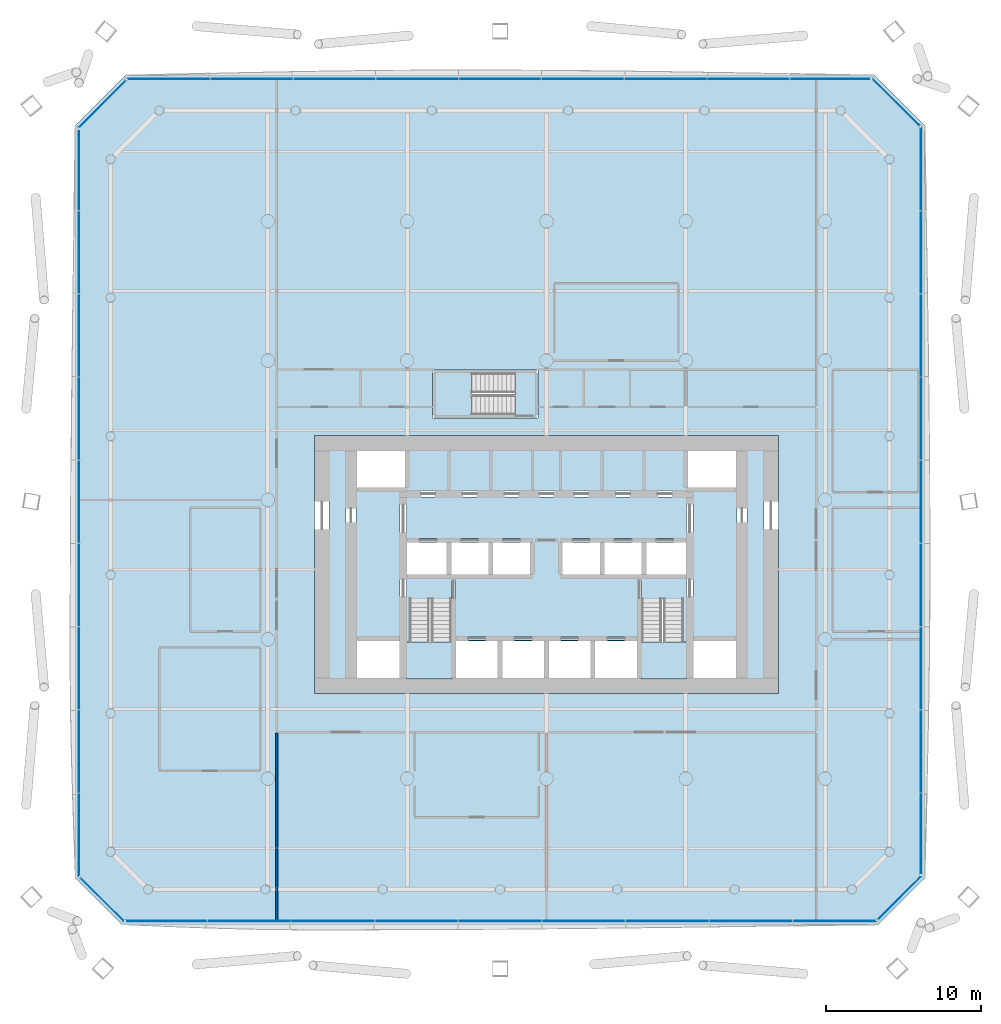
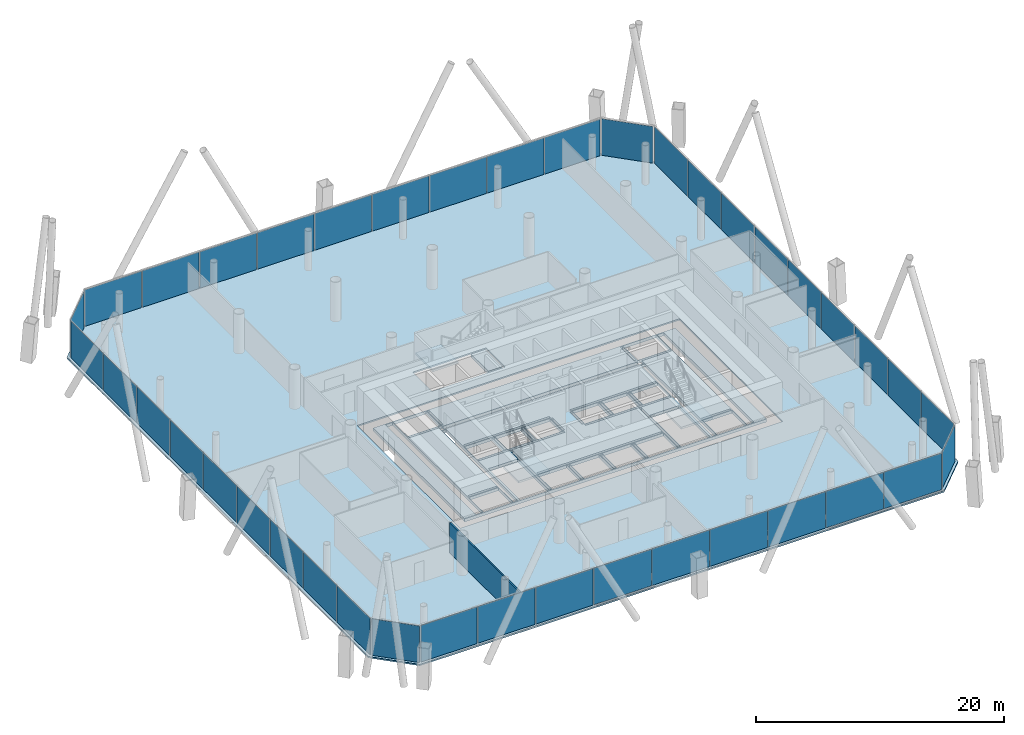
# One storey, part 16 of 25: 40 plates, 6 slabs, 1 wall, 11 elements without a shape of their own.
"""IFC4 building model written with IfcOpenShell, lengths in metres."""

from ifc_helpers import new_model, si_unit, direction, frame, frame_2d, origin, origin_2d, place, context, subcontext, project, spatial, polyline, rectangle, outline, extrude, material, layer, layer_set, type_object, element, aggregate, save


model = new_model("IFC4")

# Units and contexts
model_context = context("Model", 3, precision=1e-05, world=origin(), true_north=direction((0.0, 1.0)))
body_context = subcontext(model_context, "Body", "Model", "MODEL_VIEW")
ifc_project = project(units=[si_unit("LENGTHUNIT", "METRE"), si_unit("AREAUNIT", "SQUARE_METRE"), si_unit("VOLUMEUNIT", "CUBIC_METRE"), si_unit("PLANEANGLEUNIT", "RADIAN"), si_unit("MASSUNIT", "GRAM", prefix="KILO")], contexts=[model_context])

# Site, building, storey
site_placement = place(None, origin())
site = spatial("IfcSite", under=ifc_project, at=site_placement, CompositionType="ELEMENT")
building_placement = place(site_placement, origin())
building = spatial("IfcBuilding", under=site, at=building_placement, Name="Tskaro Facet Tower", CompositionType="ELEMENT")
storey_placement = place(building_placement, frame((0.0, 0.0, 22.5)))
storey = spatial("IfcBuildingStorey", under=building, at=storey_placement, Name="L04", CompositionType="ELEMENT", Elevation=22.5)

# Slab
ifc_material_1 = material(Name="Concrete C30/37", Category="concrete")
ifc_layer_1 = layer(ifc_material_1, 0.139892578125, Name="Concrete C30/37")
ifc_layer_set_1 = layer_set([ifc_layer_1], Name="Concrete C30/37")
slab_type_1 = type_object("IfcSlabType", Name="Composite deck floor slab", PredefinedType="FLOOR", material=ifc_layer_set_1)
slab_1_placement = place(storey_placement, frame((0.0, 0.0, -0.139892578125)))
element("IfcSlab", 1, at=slab_1_placement, inside=storey, type_object=slab_type_1, Name="Floor slab FS3 L04", PredefinedType="FLOOR", context=body_context, shape_type="SweptSolid", body=[
    extrude(outline(polyline([(-27.408935546875, -27.451904296875), (21.408935546875, -27.451904296875), (24.451904296875, -24.408935546875), (24.451904296875, 24.169921875), (21.169921875, 27.451904296875), (-27.169921875, 27.451904296875), (-30.451904296875, 24.169921875), (-30.451904296875, -24.408935546875), (-27.408935546875, -27.451904296875)]), holes=[polyline([(-15.0, -12.5), (15.0, -12.5), (15.0, 4.14990234375), (-15.0, 4.14990234375), (-15.0, -12.5)]), polyline([(-7.35009765625, 5.300048828125), (-0.550048828125, 5.300048828125), (-0.550048828125, 8.39990234375), (-7.35009765625, 8.39990234375), (-7.35009765625, 5.300048828125)])]), origin(), (0.0, 0.0, 1.0), 0.139892578125),
])

# Curtain wall, plates
ifc_material_2 = material(Name="Bronze anodised aluminium 6063-T6", Category="aluminium")
curtain_wall_type = type_object("IfcCurtainWallType", Name="Bronze office curtain wall (FW1)", PredefinedType="NOTDEFINED", material=ifc_material_2)
curtain_wall_1_placement = place(storey_placement, origin())
curtain_wall_1 = element("IfcCurtainWall", 2, at=curtain_wall_1_placement, inside=storey, type_object=curtain_wall_type, Name="FW1 south facet L04", PredefinedType="NOTDEFINED")
ifc_material_3 = material(Name="Bronze tinted glass", Category="glass")
ifc_layer_2 = layer(ifc_material_3, 0.031982421875, Name="Bronze tinted glass")
ifc_layer_set_2 = layer_set([ifc_layer_2], Name="Bronze tinted glass")
plate_type = type_object("IfcPlateType", Name="FW1 bronze-tinted unit glazing 32", PredefinedType="CURTAIN_PANEL", material=ifc_layer_set_2)
plate_1_placement = place(storey_placement, frame((-24.53955078125, -27.201904296875, 0.0), z_axis=(0.0, 0.0, 1.0), x_axis=(1.0, 0.0, 0.0)))
plate_1 = element("IfcPlate", 3, at=plate_1_placement, type_object=plate_type, Name="FW1 south glazing 1.1", PredefinedType="CURTAIN_PANEL", context=body_context, shape_type="SweptSolid", body=[
    extrude(rectangle(XDim=5.211181640625, YDim=0.031982421875, at=origin_2d()), origin(), (0.0, 0.0, 1.0), 3.60009765625),
])
plate_2_placement = place(storey_placement, frame((-19.203369140625, -27.201904296875, 0.0), z_axis=(0.0, 0.0, 1.0), x_axis=(1.0, 0.0, 0.0)))
plate_2 = element("IfcPlate", 4, at=plate_2_placement, type_object=plate_type, Name="FW1 south glazing 2.1", PredefinedType="CURTAIN_PANEL", context=body_context, shape_type="SweptSolid", body=[
    extrude(rectangle(XDim=5.341064453125, YDim=0.031982421875, at=origin_2d()), origin(), (0.0, 0.0, 1.0), 3.60009765625),
])
plate_3_placement = place(storey_placement, frame((-13.80224609375, -27.201904296875, 0.0), z_axis=(0.0, 0.0, 1.0), x_axis=(1.0, 0.0, 0.0)))
plate_3 = element("IfcPlate", 5, at=plate_3_placement, type_object=plate_type, Name="FW1 south glazing 3.1", PredefinedType="CURTAIN_PANEL", context=body_context, shape_type="SweptSolid", body=[
    extrude(rectangle(XDim=5.341064453125, YDim=0.031982421875, at=origin_2d()), origin(), (0.0, 0.0, 1.0), 3.60009765625),
])
plate_4_placement = place(storey_placement, frame((-8.401123046875, -27.201904296875, 0.0), z_axis=(0.0, 0.0, 1.0), x_axis=(1.0, 0.0, 0.0)))
plate_4 = element("IfcPlate", 6, at=plate_4_placement, type_object=plate_type, Name="FW1 south glazing 4.1", PredefinedType="CURTAIN_PANEL", context=body_context, shape_type="SweptSolid", body=[
    extrude(rectangle(XDim=5.341064453125, YDim=0.031982421875, at=origin_2d()), origin(), (0.0, 0.0, 1.0), 3.60009765625),
])
plate_5_placement = place(storey_placement, frame((-3.0, -27.201904296875, 0.0), z_axis=(0.0, 0.0, 1.0), x_axis=(1.0, 0.0, 0.0)))
plate_5 = element("IfcPlate", 7, at=plate_5_placement, type_object=plate_type, Name="FW1 south glazing 5.1", PredefinedType="CURTAIN_PANEL", context=body_context, shape_type="SweptSolid", body=[
    extrude(rectangle(XDim=5.341064453125, YDim=0.031982421875, at=origin_2d()), origin(), (0.0, 0.0, 1.0), 3.60009765625),
])
plate_6_placement = place(storey_placement, frame((2.401123046875, -27.201904296875, 0.0), z_axis=(0.0, 0.0, 1.0), x_axis=(1.0, 0.0, 0.0)))
plate_6 = element("IfcPlate", 8, at=plate_6_placement, type_object=plate_type, Name="FW1 south glazing 6.1", PredefinedType="CURTAIN_PANEL", context=body_context, shape_type="SweptSolid", body=[
    extrude(rectangle(XDim=5.341064453125, YDim=0.031982421875, at=origin_2d()), origin(), (0.0, 0.0, 1.0), 3.60009765625),
])
plate_7_placement = place(storey_placement, frame((7.80224609375, -27.201904296875, 0.0), z_axis=(0.0, 0.0, 1.0), x_axis=(1.0, 0.0, 0.0)))
plate_7 = element("IfcPlate", 9, at=plate_7_placement, type_object=plate_type, Name="FW1 south glazing 7.1", PredefinedType="CURTAIN_PANEL", context=body_context, shape_type="SweptSolid", body=[
    extrude(rectangle(XDim=5.341064453125, YDim=0.031982421875, at=origin_2d()), origin(), (0.0, 0.0, 1.0), 3.60009765625),
])
plate_8_placement = place(storey_placement, frame((13.203369140625, -27.201904296875, 0.0), z_axis=(0.0, 0.0, 1.0), x_axis=(1.0, 0.0, 0.0)))
plate_8 = element("IfcPlate", 10, at=plate_8_placement, type_object=plate_type, Name="FW1 south glazing 8.1", PredefinedType="CURTAIN_PANEL", context=body_context, shape_type="SweptSolid", body=[
    extrude(rectangle(XDim=5.341064453125, YDim=0.031982421875, at=origin_2d()), origin(), (0.0, 0.0, 1.0), 3.60009765625),
])
plate_9_placement = place(storey_placement, frame((18.619384765625, -27.201904296875, 0.0), z_axis=(0.0, 0.0, 1.0), x_axis=(1.0, 0.0, 0.0)))
plate_9 = element("IfcPlate", 11, at=plate_9_placement, type_object=plate_type, Name="FW1 south glazing 9.1", PredefinedType="CURTAIN_PANEL", context=body_context, shape_type="SweptSolid", body=[
    extrude(rectangle(XDim=5.37109375, YDim=0.031982421875, at=origin_2d()), origin(), (0.0, 0.0, 1.0), 3.60009765625),
])
aggregate(curtain_wall_1, [plate_1, plate_2, plate_3, plate_4, plate_5, plate_6, plate_7, plate_8, plate_9])

# Curtain wall, plate
curtain_wall_2_placement = place(storey_placement, origin())
curtain_wall_2 = element("IfcCurtainWall", 12, at=curtain_wall_2_placement, inside=storey, type_object=curtain_wall_type, Name="FW1 south-east facet L04", PredefinedType="NOTDEFINED")
plate_10_placement = place(storey_placement, frame((22.81005859375, -25.697021484375, 0.0), z_axis=(0.0, 0.0, 1.0), x_axis=(0.707106781187, 0.707106781187, 0.0)))
plate_10 = element("IfcPlate", 13, at=plate_10_placement, type_object=plate_type, Name="FW1 south-east glazing 1.1", PredefinedType="CURTAIN_PANEL", context=body_context, shape_type="SweptSolid", body=[
    extrude(rectangle(XDim=3.93701171875, YDim=0.031982421875, at=origin_2d()), origin(), (0.0, 0.0, 1.0), 3.60009765625),
])
aggregate(curtain_wall_2, [plate_10])

# Curtain wall, plates
curtain_wall_3_placement = place(storey_placement, origin())
curtain_wall_3 = element("IfcCurtainWall", 14, at=curtain_wall_3_placement, inside=storey, type_object=curtain_wall_type, Name="FW1 east facet L04", PredefinedType="NOTDEFINED")
plate_11_placement = place(storey_placement, frame((24.201904296875, -21.552734375, 0.0), z_axis=(0.0, 0.0, 1.0), x_axis=(0.0, 1.0, 0.0)))
plate_11 = element("IfcPlate", 15, at=plate_11_placement, type_object=plate_type, Name="FW1 east glazing 1.1", PredefinedType="CURTAIN_PANEL", context=body_context, shape_type="SweptSolid", body=[
    extrude(rectangle(XDim=5.1845703125, YDim=0.031982421875, at=origin_2d()), origin(), (0.0, 0.0, 1.0), 3.60009765625),
])
plate_12_placement = place(storey_placement, frame((24.201904296875, -16.2431640625, 0.0), z_axis=(0.0, 0.0, 1.0), x_axis=(0.0, 1.0, 0.0)))
plate_12 = element("IfcPlate", 16, at=plate_12_placement, type_object=plate_type, Name="FW1 east glazing 2.1", PredefinedType="CURTAIN_PANEL", context=body_context, shape_type="SweptSolid", body=[
    extrude(rectangle(XDim=5.314453125, YDim=0.031982421875, at=origin_2d()), origin(), (0.0, 0.0, 1.0), 3.60009765625),
])
plate_13_placement = place(storey_placement, frame((24.201904296875, -10.86865234375, 0.0), z_axis=(0.0, 0.0, 1.0), x_axis=(0.0, 1.0, 0.0)))
plate_13 = element("IfcPlate", 17, at=plate_13_placement, type_object=plate_type, Name="FW1 east glazing 3.1", PredefinedType="CURTAIN_PANEL", context=body_context, shape_type="SweptSolid", body=[
    extrude(rectangle(XDim=5.314453125, YDim=0.031982421875, at=origin_2d()), origin(), (0.0, 0.0, 1.0), 3.60009765625),
])
plate_14_placement = place(storey_placement, frame((24.201904296875, -5.494140625, 0.0), z_axis=(0.0, 0.0, 1.0), x_axis=(0.0, 1.0, 0.0)))
plate_14 = element("IfcPlate", 18, at=plate_14_placement, type_object=plate_type, Name="FW1 east glazing 4.1", PredefinedType="CURTAIN_PANEL", context=body_context, shape_type="SweptSolid", body=[
    extrude(rectangle(XDim=5.314453125, YDim=0.031982421875, at=origin_2d()), origin(), (0.0, 0.0, 1.0), 3.60009765625),
])
plate_15_placement = place(storey_placement, frame((24.201904296875, -0.119384765625, 0.0), z_axis=(0.0, 0.0, 1.0), x_axis=(0.0, 1.0, 0.0)))
plate_15 = element("IfcPlate", 19, at=plate_15_placement, type_object=plate_type, Name="FW1 east glazing 5.1", PredefinedType="CURTAIN_PANEL", context=body_context, shape_type="SweptSolid", body=[
    extrude(rectangle(XDim=5.314453125, YDim=0.031982421875, at=origin_2d()), origin(), (0.0, 0.0, 1.0), 3.60009765625),
])
plate_16_placement = place(storey_placement, frame((24.201904296875, 5.255126953125, 0.0), z_axis=(0.0, 0.0, 1.0), x_axis=(0.0, 1.0, 0.0)))
plate_16 = element("IfcPlate", 20, at=plate_16_placement, type_object=plate_type, Name="FW1 east glazing 6.1", PredefinedType="CURTAIN_PANEL", context=body_context, shape_type="SweptSolid", body=[
    extrude(rectangle(XDim=5.314453125, YDim=0.031982421875, at=origin_2d()), origin(), (0.0, 0.0, 1.0), 3.60009765625),
])
plate_17_placement = place(storey_placement, frame((24.201904296875, 10.629638671875, 0.0), z_axis=(0.0, 0.0, 1.0), x_axis=(0.0, 1.0, 0.0)))
plate_17 = element("IfcPlate", 21, at=plate_17_placement, type_object=plate_type, Name="FW1 east glazing 7.1", PredefinedType="CURTAIN_PANEL", context=body_context, shape_type="SweptSolid", body=[
    extrude(rectangle(XDim=5.314453125, YDim=0.031982421875, at=origin_2d()), origin(), (0.0, 0.0, 1.0), 3.60009765625),
])
plate_18_placement = place(storey_placement, frame((24.201904296875, 16.004150390625, 0.0), z_axis=(0.0, 0.0, 1.0), x_axis=(0.0, 1.0, 0.0)))
plate_18 = element("IfcPlate", 22, at=plate_18_placement, type_object=plate_type, Name="FW1 east glazing 8.1", PredefinedType="CURTAIN_PANEL", context=body_context, shape_type="SweptSolid", body=[
    extrude(rectangle(XDim=5.314453125, YDim=0.031982421875, at=origin_2d()), origin(), (0.0, 0.0, 1.0), 3.60009765625),
])
plate_19_placement = place(storey_placement, frame((24.201904296875, 21.393798828125, 0.0), z_axis=(0.0, 0.0, 1.0), x_axis=(0.0, 1.0, 0.0)))
plate_19 = element("IfcPlate", 23, at=plate_19_placement, type_object=plate_type, Name="FW1 east glazing 9.1", PredefinedType="CURTAIN_PANEL", context=body_context, shape_type="SweptSolid", body=[
    extrude(rectangle(XDim=5.344482421875, YDim=0.031982421875, at=origin_2d()), origin(), (0.0, 0.0, 1.0), 3.60009765625),
])
aggregate(curtain_wall_3, [plate_11, plate_12, plate_13, plate_14, plate_15, plate_16, plate_17, plate_18, plate_19])

# Curtain wall, plate
curtain_wall_4_placement = place(storey_placement, origin())
curtain_wall_4 = element("IfcCurtainWall", 24, at=curtain_wall_4_placement, inside=storey, type_object=curtain_wall_type, Name="FW1 north-east facet L04", PredefinedType="NOTDEFINED")
plate_20_placement = place(storey_placement, frame((22.577392578125, 25.690673828125, 0.0), z_axis=(0.0, 0.0, 1.0), x_axis=(-0.707106781187, 0.707106781187, 0.0)))
plate_20 = element("IfcPlate", 25, at=plate_20_placement, type_object=plate_type, Name="FW1 north-east glazing 1.1", PredefinedType="CURTAIN_PANEL", context=body_context, shape_type="SweptSolid", body=[
    extrude(rectangle(XDim=4.27490234375, YDim=0.031982421875, at=origin_2d()), origin(), (0.0, 0.0, 1.0), 3.60009765625),
])
aggregate(curtain_wall_4, [plate_20])

# Curtain wall, plates
curtain_wall_5_placement = place(storey_placement, origin())
curtain_wall_5 = element("IfcCurtainWall", 26, at=curtain_wall_5_placement, inside=storey, type_object=curtain_wall_type, Name="FW1 north facet L04", PredefinedType="NOTDEFINED")
plate_21_placement = place(storey_placement, frame((18.326904296875, 27.201904296875, 0.0), z_axis=(0.0, 0.0, 1.0), x_axis=(-1.0, 0.0, 0.0)))
plate_21 = element("IfcPlate", 27, at=plate_21_placement, type_object=plate_type, Name="FW1 north glazing 1.1", PredefinedType="CURTAIN_PANEL", context=body_context, shape_type="SweptSolid", body=[
    extrude(rectangle(XDim=5.157958984375, YDim=0.031982421875, at=origin_2d()), origin(), (0.0, 0.0, 1.0), 3.60009765625),
])
plate_22_placement = place(storey_placement, frame((13.0439453125, 27.201904296875, 0.0), z_axis=(0.0, 0.0, 1.0), x_axis=(-1.0, 0.0, 0.0)))
plate_22 = element("IfcPlate", 28, at=plate_22_placement, type_object=plate_type, Name="FW1 north glazing 2.1", PredefinedType="CURTAIN_PANEL", context=body_context, shape_type="SweptSolid", body=[
    extrude(rectangle(XDim=5.2880859375, YDim=0.031982421875, at=origin_2d()), origin(), (0.0, 0.0, 1.0), 3.60009765625),
])
plate_23_placement = place(storey_placement, frame((7.696044921875, 27.201904296875, 0.0), z_axis=(0.0, 0.0, 1.0), x_axis=(-1.0, 0.0, 0.0)))
plate_23 = element("IfcPlate", 29, at=plate_23_placement, type_object=plate_type, Name="FW1 north glazing 3.1", PredefinedType="CURTAIN_PANEL", context=body_context, shape_type="SweptSolid", body=[
    extrude(rectangle(XDim=5.2880859375, YDim=0.031982421875, at=origin_2d()), origin(), (0.0, 0.0, 1.0), 3.60009765625),
])
plate_24_placement = place(storey_placement, frame((2.347900390625, 27.201904296875, 0.0), z_axis=(0.0, 0.0, 1.0), x_axis=(-1.0, 0.0, 0.0)))
plate_24 = element("IfcPlate", 30, at=plate_24_placement, type_object=plate_type, Name="FW1 north glazing 4.1", PredefinedType="CURTAIN_PANEL", context=body_context, shape_type="SweptSolid", body=[
    extrude(rectangle(XDim=5.2880859375, YDim=0.031982421875, at=origin_2d()), origin(), (0.0, 0.0, 1.0), 3.60009765625),
])
plate_25_placement = place(storey_placement, frame((-3.0, 27.201904296875, 0.0), z_axis=(0.0, 0.0, 1.0), x_axis=(-1.0, 0.0, 0.0)))
plate_25 = element("IfcPlate", 31, at=plate_25_placement, type_object=plate_type, Name="FW1 north glazing 5.1", PredefinedType="CURTAIN_PANEL", context=body_context, shape_type="SweptSolid", body=[
    extrude(rectangle(XDim=5.2880859375, YDim=0.031982421875, at=origin_2d()), origin(), (0.0, 0.0, 1.0), 3.60009765625),
])
plate_26_placement = place(storey_placement, frame((-8.347900390625, 27.201904296875, 0.0), z_axis=(0.0, 0.0, 1.0), x_axis=(-1.0, 0.0, 0.0)))
plate_26 = element("IfcPlate", 32, at=plate_26_placement, type_object=plate_type, Name="FW1 north glazing 6.1", PredefinedType="CURTAIN_PANEL", context=body_context, shape_type="SweptSolid", body=[
    extrude(rectangle(XDim=5.2880859375, YDim=0.031982421875, at=origin_2d()), origin(), (0.0, 0.0, 1.0), 3.60009765625),
])
plate_27_placement = place(storey_placement, frame((-13.696044921875, 27.201904296875, 0.0), z_axis=(0.0, 0.0, 1.0), x_axis=(-1.0, 0.0, 0.0)))
plate_27 = element("IfcPlate", 33, at=plate_27_placement, type_object=plate_type, Name="FW1 north glazing 7.1", PredefinedType="CURTAIN_PANEL", context=body_context, shape_type="SweptSolid", body=[
    extrude(rectangle(XDim=5.2880859375, YDim=0.031982421875, at=origin_2d()), origin(), (0.0, 0.0, 1.0), 3.60009765625),
])
plate_28_placement = place(storey_placement, frame((-19.0439453125, 27.201904296875, 0.0), z_axis=(0.0, 0.0, 1.0), x_axis=(-1.0, 0.0, 0.0)))
plate_28 = element("IfcPlate", 34, at=plate_28_placement, type_object=plate_type, Name="FW1 north glazing 8.1", PredefinedType="CURTAIN_PANEL", context=body_context, shape_type="SweptSolid", body=[
    extrude(rectangle(XDim=5.2880859375, YDim=0.031982421875, at=origin_2d()), origin(), (0.0, 0.0, 1.0), 3.60009765625),
])
plate_29_placement = place(storey_placement, frame((-24.406982421875, 27.201904296875, 0.0), z_axis=(0.0, 0.0, 1.0), x_axis=(-1.0, 0.0, 0.0)))
plate_29 = element("IfcPlate", 35, at=plate_29_placement, type_object=plate_type, Name="FW1 north glazing 9.1", PredefinedType="CURTAIN_PANEL", context=body_context, shape_type="SweptSolid", body=[
    extrude(rectangle(XDim=5.318115234375, YDim=0.031982421875, at=origin_2d()), origin(), (0.0, 0.0, 1.0), 3.60009765625),
])
aggregate(curtain_wall_5, [plate_21, plate_22, plate_23, plate_24, plate_25, plate_26, plate_27, plate_28, plate_29])

# Curtain wall, plate
curtain_wall_6_placement = place(storey_placement, origin())
curtain_wall_6 = element("IfcCurtainWall", 36, at=curtain_wall_6_placement, inside=storey, type_object=curtain_wall_type, Name="FW1 north-west facet L04", PredefinedType="NOTDEFINED")
plate_30_placement = place(storey_placement, frame((-28.690673828125, 25.577392578125, 0.0), z_axis=(0.0, 0.0, 1.0), x_axis=(-0.707106781187, -0.707106781187, 0.0)))
plate_30 = element("IfcPlate", 37, at=plate_30_placement, type_object=plate_type, Name="FW1 north-west glazing 1.1", PredefinedType="CURTAIN_PANEL", context=body_context, shape_type="SweptSolid", body=[
    extrude(rectangle(XDim=4.27490234375, YDim=0.031982421875, at=origin_2d()), origin(), (0.0, 0.0, 1.0), 3.60009765625),
])
aggregate(curtain_wall_6, [plate_30])

# Curtain wall, plates
curtain_wall_7_placement = place(storey_placement, origin())
curtain_wall_7 = element("IfcCurtainWall", 38, at=curtain_wall_7_placement, inside=storey, type_object=curtain_wall_type, Name="FW1 west facet L04", PredefinedType="NOTDEFINED")
plate_31_placement = place(storey_placement, frame((-30.201904296875, 21.313720703125, 0.0), z_axis=(0.0, 0.0, 1.0), x_axis=(0.0, -1.0, 0.0)))
plate_31 = element("IfcPlate", 39, at=plate_31_placement, type_object=plate_type, Name="FW1 west glazing 1.1", PredefinedType="CURTAIN_PANEL", context=body_context, shape_type="SweptSolid", body=[
    extrude(rectangle(XDim=5.1845703125, YDim=0.031982421875, at=origin_2d()), origin(), (0.0, 0.0, 1.0), 3.60009765625),
])
plate_32_placement = place(storey_placement, frame((-30.201904296875, 16.004150390625, 0.0), z_axis=(0.0, 0.0, 1.0), x_axis=(0.0, -1.0, 0.0)))
plate_32 = element("IfcPlate", 40, at=plate_32_placement, type_object=plate_type, Name="FW1 west glazing 2.1", PredefinedType="CURTAIN_PANEL", context=body_context, shape_type="SweptSolid", body=[
    extrude(rectangle(XDim=5.314453125, YDim=0.031982421875, at=origin_2d()), origin(), (0.0, 0.0, 1.0), 3.60009765625),
])
plate_33_placement = place(storey_placement, frame((-30.201904296875, 10.629638671875, 0.0), z_axis=(0.0, 0.0, 1.0), x_axis=(0.0, -1.0, 0.0)))
plate_33 = element("IfcPlate", 41, at=plate_33_placement, type_object=plate_type, Name="FW1 west glazing 3.1", PredefinedType="CURTAIN_PANEL", context=body_context, shape_type="SweptSolid", body=[
    extrude(rectangle(XDim=5.314453125, YDim=0.031982421875, at=origin_2d()), origin(), (0.0, 0.0, 1.0), 3.60009765625),
])
plate_34_placement = place(storey_placement, frame((-30.201904296875, 5.255126953125, 0.0), z_axis=(0.0, 0.0, 1.0), x_axis=(0.0, -1.0, 0.0)))
plate_34 = element("IfcPlate", 42, at=plate_34_placement, type_object=plate_type, Name="FW1 west glazing 4.1", PredefinedType="CURTAIN_PANEL", context=body_context, shape_type="SweptSolid", body=[
    extrude(rectangle(XDim=5.314453125, YDim=0.031982421875, at=origin_2d()), origin(), (0.0, 0.0, 1.0), 3.60009765625),
])
plate_35_placement = place(storey_placement, frame((-30.201904296875, -0.119384765625, 0.0), z_axis=(0.0, 0.0, 1.0), x_axis=(0.0, -1.0, 0.0)))
plate_35 = element("IfcPlate", 43, at=plate_35_placement, type_object=plate_type, Name="FW1 west glazing 5.1", PredefinedType="CURTAIN_PANEL", context=body_context, shape_type="SweptSolid", body=[
    extrude(rectangle(XDim=5.314453125, YDim=0.031982421875, at=origin_2d()), origin(), (0.0, 0.0, 1.0), 3.60009765625),
])
plate_36_placement = place(storey_placement, frame((-30.201904296875, -5.494140625, 0.0), z_axis=(0.0, 0.0, 1.0), x_axis=(0.0, -1.0, 0.0)))
plate_36 = element("IfcPlate", 44, at=plate_36_placement, type_object=plate_type, Name="FW1 west glazing 6.1", PredefinedType="CURTAIN_PANEL", context=body_context, shape_type="SweptSolid", body=[
    extrude(rectangle(XDim=5.314453125, YDim=0.031982421875, at=origin_2d()), origin(), (0.0, 0.0, 1.0), 3.60009765625),
])
plate_37_placement = place(storey_placement, frame((-30.201904296875, -10.86865234375, 0.0), z_axis=(0.0, 0.0, 1.0), x_axis=(0.0, -1.0, 0.0)))
plate_37 = element("IfcPlate", 45, at=plate_37_placement, type_object=plate_type, Name="FW1 west glazing 7.1", PredefinedType="CURTAIN_PANEL", context=body_context, shape_type="SweptSolid", body=[
    extrude(rectangle(XDim=5.314453125, YDim=0.031982421875, at=origin_2d()), origin(), (0.0, 0.0, 1.0), 3.60009765625),
])
plate_38_placement = place(storey_placement, frame((-30.201904296875, -16.2431640625, 0.0), z_axis=(0.0, 0.0, 1.0), x_axis=(0.0, -1.0, 0.0)))
plate_38 = element("IfcPlate", 46, at=plate_38_placement, type_object=plate_type, Name="FW1 west glazing 8.1", PredefinedType="CURTAIN_PANEL", context=body_context, shape_type="SweptSolid", body=[
    extrude(rectangle(XDim=5.314453125, YDim=0.031982421875, at=origin_2d()), origin(), (0.0, 0.0, 1.0), 3.60009765625),
])
plate_39_placement = place(storey_placement, frame((-30.201904296875, -21.6328125, 0.0), z_axis=(0.0, 0.0, 1.0), x_axis=(0.0, -1.0, 0.0)))
plate_39 = element("IfcPlate", 47, at=plate_39_placement, type_object=plate_type, Name="FW1 west glazing 9.1", PredefinedType="CURTAIN_PANEL", context=body_context, shape_type="SweptSolid", body=[
    extrude(rectangle(XDim=5.344482421875, YDim=0.031982421875, at=origin_2d()), origin(), (0.0, 0.0, 1.0), 3.60009765625),
])
aggregate(curtain_wall_7, [plate_31, plate_32, plate_33, plate_34, plate_35, plate_36, plate_37, plate_38, plate_39])

# Curtain wall, plate
curtain_wall_8_placement = place(storey_placement, origin())
curtain_wall_8 = element("IfcCurtainWall", 48, at=curtain_wall_8_placement, inside=storey, type_object=curtain_wall_type, Name="FW1 south-west facet L04", PredefinedType="NOTDEFINED")
plate_40_placement = place(storey_placement, frame((-28.697021484375, -25.81005859375, 0.0), z_axis=(0.0, 0.0, 1.0), x_axis=(0.707106781187, -0.707106781187, 0.0)))
plate_40 = element("IfcPlate", 49, at=plate_40_placement, type_object=plate_type, Name="FW1 south-west glazing 1.1", PredefinedType="CURTAIN_PANEL", context=body_context, shape_type="SweptSolid", body=[
    extrude(rectangle(XDim=3.93701171875, YDim=0.031982421875, at=origin_2d()), origin(), (0.0, 0.0, 1.0), 3.60009765625),
])
aggregate(curtain_wall_8, [plate_40])

# Stair, slab
ifc_material_4 = material(Name="Concrete C40/50", Category="concrete")
stair_type = type_object("IfcStairType", Name="ST-TWR", PredefinedType="HALF_TURN_STAIR", material=ifc_material_4)
stair_1_placement = place(storey_placement, origin())
stair_1 = element("IfcStair", 50, at=stair_1_placement, inside=storey, type_object=stair_type, Name="L04 Exit stair 1", PredefinedType="HALF_TURN_STAIR")
ifc_layer_3 = layer(ifc_material_4, 0.199951171875, Name="Concrete C40/50")
ifc_layer_set_3 = layer_set([ifc_layer_3], Name="Concrete C40/50")
slab_type_2 = type_object("IfcSlabType", Name="SL-LANDING", PredefinedType="LANDING", material=ifc_layer_set_3)
slab_2_placement = place(storey_placement, frame((0.0, 0.0, 1.75)))
slab_2 = element("IfcSlab", 51, at=slab_2_placement, type_object=slab_type_2, Name="ST-1 landing 1", PredefinedType="LANDING", context=body_context, shape_type="SweptSolid", body=[
    extrude(outline(polyline([(-9.050048828125, -11.550048828125), (-6.10009765625, -11.550048828125), (-6.10009765625, -9.175048828125), (-9.050048828125, -9.175048828125), (-9.050048828125, -11.550048828125)])), origin(), (0.0, 0.0, 1.0), 0.199951171875),
])
aggregate(stair_1, [slab_2])

stair_2_placement = place(storey_placement, origin())
stair_2 = element("IfcStair", 52, at=stair_2_placement, inside=storey, type_object=stair_type, Name="L04 Exit stair 2", PredefinedType="HALF_TURN_STAIR")
slab_3_placement = place(storey_placement, frame((0.0, 0.0, 1.75)))
slab_3 = element("IfcSlab", 53, at=slab_3_placement, type_object=slab_type_2, Name="ST-2 landing 1", PredefinedType="LANDING", context=body_context, shape_type="SweptSolid", body=[
    extrude(outline(polyline([(6.10009765625, -11.550048828125), (9.050048828125, -11.550048828125), (9.050048828125, -9.175048828125), (6.10009765625, -9.175048828125), (6.10009765625, -11.550048828125)])), origin(), (0.0, 0.0, 1.0), 0.199951171875),
])
aggregate(stair_2, [slab_3])

stair_3_placement = place(storey_placement, origin())
stair_3 = element("IfcStair", 54, at=stair_3_placement, inside=storey, type_object=stair_type, Name="L04 Exit stair 3", PredefinedType="HALF_TURN_STAIR")
slab_4_placement = place(storey_placement, frame((0.0, 0.0, 1.75)))
slab_4 = element("IfcSlab", 55, at=slab_4_placement, type_object=slab_type_2, Name="ST-3 landing 1", PredefinedType="LANDING", context=body_context, shape_type="SweptSolid", body=[
    extrude(outline(polyline([(-7.199951171875, 5.449951171875), (-4.824951171875, 5.449951171875), (-4.824951171875, 8.25), (-7.199951171875, 8.25), (-7.199951171875, 5.449951171875)])), origin(), (0.0, 0.0, 1.0), 0.199951171875),
])
aggregate(stair_3, [slab_4])

# Slabs
ifc_material_5 = material(Name="Concrete C60/75", Category="concrete")
ifc_layer_4 = layer(ifc_material_5, 0.300048828125, Name="Concrete C60/75")
ifc_layer_set_4 = layer_set([ifc_layer_4], Name="Concrete C60/75")
slab_type_3 = type_object("IfcSlabType", Name="SLAB-CORE", PredefinedType="FLOOR", material=ifc_layer_set_4)
slab_5_placement = place(storey_placement, frame((0.0, 0.0, -0.300048828125)))
element("IfcSlab", 56, at=slab_5_placement, inside=storey, type_object=slab_type_3, Name="Core floor slab 1", PredefinedType="FLOOR", context=body_context, shape_type="SweptSolid", body=[
    extrude(outline(polyline([(-14.050048828125, 3.199951171875), (14.050048828125, 3.199951171875), (14.050048828125, 3.10009765625), (14.050048828125, -11.449951171875), (14.050048828125, -11.550048828125), (-14.050048828125, -11.550048828125), (-14.050048828125, -11.449951171875), (-14.050048828125, 3.10009765625), (-14.050048828125, 3.199951171875)]), holes=[polyline([(-9.5, -9.10009765625), (-12.25, -9.10009765625), (-12.25, -11.5), (-9.5, -11.5), (-9.5, -9.10009765625)]), polyline([(-3.14990234375, -9.10009765625), (-5.85009765625, -9.10009765625), (-5.85009765625, -11.5), (-3.14990234375, -11.5), (-3.14990234375, -9.10009765625)]), polyline([(-12.199951171875, -8.85009765625), (-12.199951171875, -9.050048828125), (-9.550048828125, -9.050048828125), (-9.550048828125, -8.85009765625), (-12.199951171875, -8.85009765625)]), polyline([(-6.10009765625, -11.449951171875), (-5.89990234375, -11.449951171875), (-5.89990234375, -5.14990234375), (-6.10009765625, -5.14990234375), (-6.10009765625, -11.449951171875)]), polyline([(-9.449951171875, 0.10009765625), (-9.449951171875, -11.449951171875), (-9.050048828125, -11.449951171875), (-9.050048828125, 0.10009765625), (-9.449951171875, 0.10009765625)]), polyline([(-8.949951171875, -4.85009765625), (-8.949951171875, -5.050048828125), (-0.949951171875, -5.050048828125), (-0.949951171875, -4.85009765625), (-8.949951171875, -4.85009765625)]), polyline([(-12.949951171875, -11.449951171875), (-12.300048828125, -11.449951171875), (-12.300048828125, 3.10009765625), (-12.949951171875, 3.10009765625), (-12.949951171875, -11.449951171875)]), polyline([(-6.449951171875, -4.800048828125), (-6.449951171875, -2.75), (-9.0, -2.75), (-9.0, -4.800048828125), (-6.449951171875, -4.800048828125)]), polyline([(-3.75, -2.75), (-6.14990234375, -2.75), (-6.14990234375, -4.800048828125), (-3.75, -4.800048828125), (-3.75, -2.75)]), polyline([(-6.39990234375, -2.800048828125), (-6.39990234375, -4.75), (-6.199951171875, -4.75), (-6.199951171875, -2.800048828125), (-6.39990234375, -2.800048828125)]), polyline([(-8.949951171875, -2.5), (-8.949951171875, -2.699951171875), (-0.949951171875, -2.699951171875), (-0.949951171875, -2.5), (-8.949951171875, -2.5)]), polyline([(9.449951171875, 0.550048828125), (12.199951171875, 0.550048828125), (12.199951171875, 0.75), (9.050048828125, 0.75), (9.050048828125, 0.60009765625), (-9.050048828125, 0.60009765625), (-9.050048828125, 0.75), (-12.199951171875, 0.75), (-12.199951171875, 0.550048828125), (-9.449951171875, 0.550048828125), (-9.449951171875, 0.199951171875), (9.449951171875, 0.199951171875), (9.449951171875, 0.550048828125)]), polyline([(-9.10009765625, 3.10009765625), (-9.10009765625, 0.85009765625), (-8.89990234375, 0.85009765625), (-8.89990234375, 3.10009765625), (-9.10009765625, 3.10009765625)]), polyline([(-9.14990234375, 0.800048828125), (-9.14990234375, 3.14990234375), (-12.25, 3.14990234375), (-12.25, 0.800048828125), (-9.14990234375, 0.800048828125)]), polyline([(2.89990234375, -11.449951171875), (3.10009765625, -11.449951171875), (3.10009765625, -9.14990234375), (2.89990234375, -9.14990234375), (2.89990234375, -11.449951171875)]), polyline([(-3.10009765625, -9.14990234375), (-3.10009765625, -11.449951171875), (-2.89990234375, -11.449951171875), (-2.89990234375, -9.14990234375), (-3.10009765625, -9.14990234375)]), polyline([(2.85009765625, -9.10009765625), (0.14990234375, -9.10009765625), (0.14990234375, -11.5), (2.85009765625, -11.5), (2.85009765625, -9.10009765625)]), polyline([(-0.14990234375, -9.10009765625), (-2.85009765625, -9.10009765625), (-2.85009765625, -11.5), (-0.14990234375, -11.5), (-0.14990234375, -9.10009765625)]), polyline([(-0.10009765625, -9.14990234375), (-0.10009765625, -11.449951171875), (0.10009765625, -11.449951171875), (0.10009765625, -9.14990234375), (-0.10009765625, -9.14990234375)]), polyline([(-5.800048828125, -8.85009765625), (-5.800048828125, -9.050048828125), (5.800048828125, -9.050048828125), (5.800048828125, -8.85009765625), (-5.800048828125, -8.85009765625)]), polyline([(-1.0, -2.800048828125), (-1.0, -4.75), (-0.800048828125, -4.75), (-0.800048828125, -2.800048828125), (-1.0, -2.800048828125)]), polyline([(0.800048828125, -4.75), (1.0, -4.75), (1.0, -2.800048828125), (0.800048828125, -2.800048828125), (0.800048828125, -4.75)]), polyline([(-1.050048828125, -2.75), (-3.449951171875, -2.75), (-3.449951171875, -4.800048828125), (-1.050048828125, -4.800048828125), (-1.050048828125, -2.75)]), polyline([(1.050048828125, -2.75), (1.050048828125, -4.800048828125), (3.449951171875, -4.800048828125), (3.449951171875, -2.75), (1.050048828125, -2.75)]), polyline([(-3.699951171875, -4.75), (-3.5, -4.75), (-3.5, -2.800048828125), (-3.699951171875, -2.800048828125), (-3.699951171875, -4.75)]), polyline([(3.14990234375, -9.10009765625), (3.14990234375, -11.5), (5.85009765625, -11.5), (5.85009765625, -9.10009765625), (3.14990234375, -9.10009765625)]), polyline([(12.25, -11.5), (12.25, -9.10009765625), (9.5, -9.10009765625), (9.5, -11.5), (12.25, -11.5)]), polyline([(9.550048828125, -8.85009765625), (9.550048828125, -9.050048828125), (12.199951171875, -9.050048828125), (12.199951171875, -8.85009765625), (9.550048828125, -8.85009765625)]), polyline([(5.89990234375, -11.449951171875), (6.10009765625, -11.449951171875), (6.10009765625, -5.14990234375), (5.89990234375, -5.14990234375), (5.89990234375, -11.449951171875)]), polyline([(9.050048828125, 0.10009765625), (9.050048828125, -11.449951171875), (9.449951171875, -11.449951171875), (9.449951171875, 0.10009765625), (9.050048828125, 0.10009765625)]), polyline([(0.949951171875, -4.85009765625), (0.949951171875, -5.050048828125), (8.949951171875, -5.050048828125), (8.949951171875, -4.85009765625), (0.949951171875, -4.85009765625)]), polyline([(12.300048828125, -11.449951171875), (12.949951171875, -11.449951171875), (12.949951171875, 3.10009765625), (12.300048828125, 3.10009765625), (12.300048828125, -11.449951171875)]), polyline([(3.5, -2.800048828125), (3.5, -4.75), (3.699951171875, -4.75), (3.699951171875, -2.800048828125), (3.5, -2.800048828125)]), polyline([(6.14990234375, -2.75), (3.75, -2.75), (3.75, -4.800048828125), (6.14990234375, -4.800048828125), (6.14990234375, -2.75)]), polyline([(6.199951171875, -2.800048828125), (6.199951171875, -4.75), (6.39990234375, -4.75), (6.39990234375, -2.800048828125), (6.199951171875, -2.800048828125)]), polyline([(6.449951171875, -2.75), (6.449951171875, -4.800048828125), (9.0, -4.800048828125), (9.0, -2.75), (6.449951171875, -2.75)]), polyline([(0.949951171875, -2.5), (0.949951171875, -2.699951171875), (8.949951171875, -2.699951171875), (8.949951171875, -2.5), (0.949951171875, -2.5)]), polyline([(8.89990234375, 3.10009765625), (8.89990234375, 0.85009765625), (9.10009765625, 0.85009765625), (9.10009765625, 3.10009765625), (8.89990234375, 3.10009765625)]), polyline([(9.14990234375, 0.800048828125), (12.25, 0.800048828125), (12.25, 3.14990234375), (9.14990234375, 3.14990234375), (9.14990234375, 0.800048828125)]), polyline([(-8.85009765625, -11.5), (-6.14990234375, -11.5), (-6.14990234375, -6.39501953125), (-8.85009765625, -6.39501953125), (-8.85009765625, -11.5)]), polyline([(6.14990234375, -6.39501953125), (6.14990234375, -11.5), (8.85009765625, -11.5), (8.85009765625, -6.39501953125), (6.14990234375, -6.39501953125)])]), origin(), (0.0, 0.0, 1.0), 0.300048828125),
])
slab_6_placement = place(storey_placement, frame((0.0, 0.0, -0.300048828125)))
element("IfcSlab", 57, at=slab_6_placement, inside=storey, type_object=slab_type_3, Name="Stair 3 floor landing 1", PredefinedType="FLOOR", context=body_context, shape_type="SweptSolid", body=[
    extrude(outline(polyline([(-2.02490234375, 5.449951171875), (-0.699951171875, 5.449951171875), (-0.699951171875, 8.25), (-2.02490234375, 8.25), (-2.02490234375, 5.449951171875)])), origin(), (0.0, 0.0, 1.0), 0.300048828125),
])

# Wall
ifc_material_6 = material(Name="Gypsum board on steel studs", Category="steel")
ifc_layer_5 = layer(ifc_material_6, 0.125, Name="Gypsum board on steel studs")
ifc_layer_set_5 = layer_set([ifc_layer_5], Name="Gypsum board on steel studs")
wall_type = type_object("IfcWallType", Name="PART", PredefinedType="PARTITIONING", material=ifc_layer_set_5)
wall_placement = place(storey_placement, frame((-17.425048828125, -27.152099609375, 0.0), z_axis=(0.0, 0.0, 1.0), x_axis=(0.0, 1.0, 0.0)))
element("IfcWall", 58, at=wall_placement, inside=storey, type_object=wall_type, Name="Partition W036", PredefinedType="PARTITIONING", context=body_context, shape_type="SweptSolid", body=[
    extrude(rectangle(XDim=12.0771484375, YDim=0.125, at=frame_2d((6.03857421875, 0.0))), origin(), (0.0, 0.0, 1.0), 2.9599609375),
])

save(model, "model.ifc")
